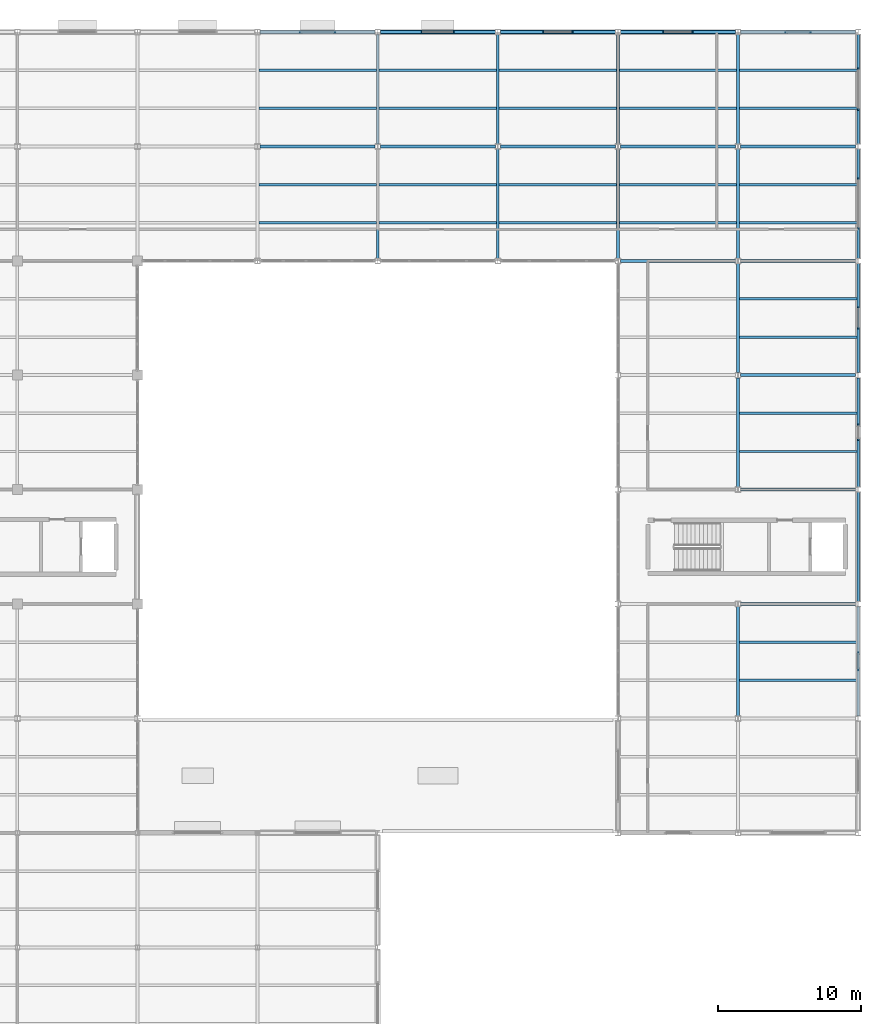
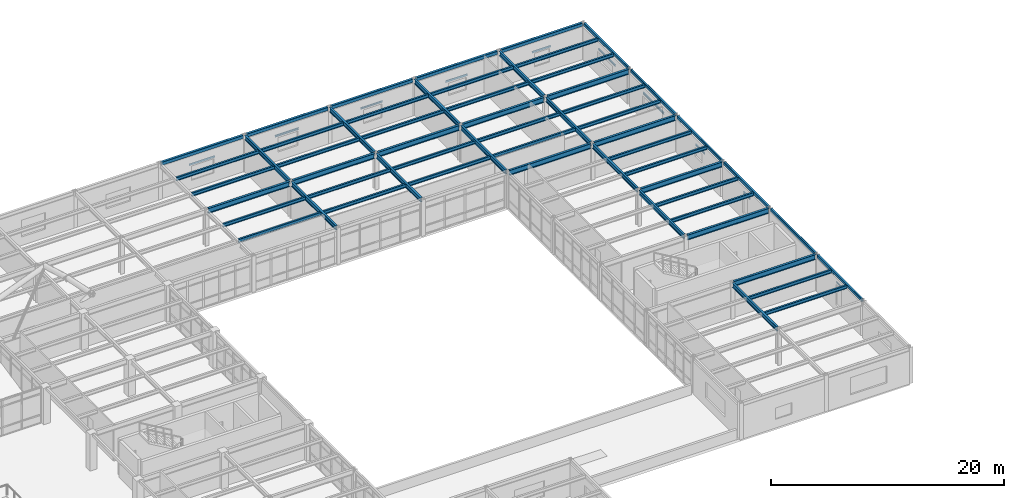
# One storey, part 55 of 138: 68 beams.
"""IFC4 building model written with IfcOpenShell, lengths in metres."""

import ifcopenshell
import ifcopenshell.guid

model = None  # the IFC model being written
_history = None  # IfcOwnerHistory: only IFC2X3 demands one
_inside = {}  # id of a spatial element -> (the spatial element, [elements in it])
_under = {}  # id of a project, library or spatial element -> (it, [spatial elements below it])
_declared = {}  # id of a project -> (the project, [libraries it declares])
_typed = {}  # id of a type object -> (the type object, [elements of that type])
_made_of = {}  # id of a material, layer set ... -> (it, [elements and type objects made of it])


def new_model(schema):
    """Start an empty IFC model of exactly this schema.

    Asked for "IFC4X3", IfcOpenShell would pick the latest addendum, in which some entities
    have other attributes; the version numbers below select the first issue.
    IFC2X3 requires an IfcOwnerHistory on every rooted entity: one is made here for all.
    """
    global model, _history
    if schema == "IFC4X3":
        model = ifcopenshell.file(schema_version=(4, 3, 0, 0))
    else:
        model = ifcopenshell.file(schema=schema)
    _inside.clear()
    _under.clear()
    _declared.clear()
    _typed.clear()
    _made_of.clear()
    _history = None
    if model.schema == "IFC2X3":
        org = make("IfcOrganization", Name="unknown")
        user = make(
            "IfcPersonAndOrganization",
            ThePerson=make("IfcPerson", FamilyName="unknown"),
            TheOrganization=org,
        )
        app = make(
            "IfcApplication",
            ApplicationDeveloper=org,
            Version="unknown",
            ApplicationFullName="unknown",
            ApplicationIdentifier="unknown",
        )
        _history = make(
            "IfcOwnerHistory",
            OwningUser=user,
            OwningApplication=app,
            ChangeAction="ADDED",
            CreationDate=0,
        )
    return model


def make(cls, **values):
    """One entity of the class cls with the attributes given. An attribute that is None is left unset."""
    return model.create_entity(
        cls, **{name: value for name, value in values.items() if value is not None}
    )


def rooted(cls, **values):
    """An entity with a GlobalId (a new one), such as an element, a storey or a relation."""
    return make(cls, GlobalId=ifcopenshell.guid.new(), OwnerHistory=_history, **values)


def si_unit(unit_type, name, prefix=None):
    """IfcSIUnit, for example si_unit("LENGTHUNIT", "METRE", prefix="MILLI")."""
    return make("IfcSIUnit", UnitType=unit_type, Prefix=prefix, Name=name)


def assignment(units):
    """IfcUnitAssignment: the units of a project."""
    return None if units is None else make("IfcUnitAssignment", Units=units)


def point(xyz):
    """IfcCartesianPoint."""
    return None if xyz is None else make("IfcCartesianPoint", Coordinates=xyz)


def direction(xyz):
    """IfcDirection."""
    return None if xyz is None else make("IfcDirection", DirectionRatios=xyz)


def frame(location, z_axis=None, x_axis=None):
    """IfcAxis2Placement3D, a coordinate frame: its origin and axes. An axis left out is left unset."""
    return make(
        "IfcAxis2Placement3D",
        Location=point(location),
        Axis=direction(z_axis),
        RefDirection=direction(x_axis),
    )


def frame_2d(location, x_axis=None):
    """IfcAxis2Placement2D, a coordinate frame in the plane: its origin and x axis."""
    return make(
        "IfcAxis2Placement2D", Location=point(location), RefDirection=direction(x_axis)
    )


def origin():
    """The frame at (0, 0, 0) with its axes left unset."""
    return frame((0.0, 0.0, 0.0))


def origin_2d():
    """The frame at (0, 0) in the plane with its x axis left unset."""
    return frame_2d((0.0, 0.0))


def place(relative_to, where):
    """IfcLocalPlacement: puts the frame where relative to a parent placement (None: the world)."""
    return make(
        "IfcLocalPlacement", PlacementRelTo=relative_to, RelativePlacement=where
    )


def context(
    kind, dimensions, precision=None, world=None, true_north=None, identifier=None
):
    """IfcGeometricRepresentationContext, for example the 3D "Model" context."""
    return make(
        "IfcGeometricRepresentationContext",
        ContextIdentifier=identifier,
        ContextType=kind,
        CoordinateSpaceDimension=dimensions,
        Precision=precision,
        WorldCoordinateSystem=world,
        TrueNorth=true_north,
    )


def subcontext(parent, identifier, kind, view, scale=None):
    """IfcGeometricRepresentationSubContext, for example "Body" below "Model"."""
    return make(
        "IfcGeometricRepresentationSubContext",
        ContextIdentifier=identifier,
        ContextType=kind,
        ParentContext=parent,
        TargetScale=scale,
        TargetView=view,
    )


def project(units=None, contexts=None):
    """IfcProject with its units and contexts."""
    return rooted(
        "IfcProject",
        Name="project",
        RepresentationContexts=contexts,
        UnitsInContext=assignment(units),
    )


def spatial(cls, under=None, at=None, **own):
    """A site, building, storey or space (cls), placed at a placement, below another one or the project."""
    s = rooted(cls, ObjectPlacement=at, **own)
    if under is not None:
        _under.setdefault(under.id(), (under, []))[1].append(s)
    return s


def profile(cls, at=None, kind="AREA", **sizes):
    """A parametric profile (cls). Its sizes go by their IFC names, for example OverallWidth=200.0."""
    return make(cls, ProfileType=kind, Position=at, **sizes)


def hollow_rectangle(**sizes):
    """IfcRectangleHollowProfileDef."""
    return profile("IfcRectangleHollowProfileDef", **sizes)


def i_section(**sizes):
    """IfcIShapeProfileDef."""
    return profile("IfcIShapeProfileDef", **sizes)


def u_section(**sizes):
    """IfcUShapeProfileDef."""
    return profile("IfcUShapeProfileDef", **sizes)


def extrude(swept, where, along, depth):
    """IfcExtrudedAreaSolid: the profile swept, set in the frame where, extruded along a direction by depth."""
    return make(
        "IfcExtrudedAreaSolid",
        SweptArea=swept,
        Position=where,
        ExtrudedDirection=direction(along),
        Depth=depth,
    )


def shape(context_of_items, identifier, shape_type, items):
    """IfcShapeRepresentation: the items that make up one representation, for example the "Body"."""
    return make(
        "IfcShapeRepresentation",
        ContextOfItems=context_of_items,
        RepresentationIdentifier=identifier,
        RepresentationType=shape_type,
        Items=items,
    )


def material(Name=None, Category=None):
    """IfcMaterial."""
    return make("IfcMaterial", Name=Name, Category=Category)


def material_profile(
    of_material, cross_section, Name=None, Category=None, Priority=None
):
    """IfcMaterialProfile: a cross section and its material."""
    return make(
        "IfcMaterialProfile",
        Name=Name,
        Material=of_material,
        Profile=cross_section,
        Priority=Priority,
        Category=Category,
    )


def profile_set(profiles, Name=None, composite=None):
    """IfcMaterialProfileSet."""
    return make(
        "IfcMaterialProfileSet",
        Name=Name,
        MaterialProfiles=profiles,
        CompositeProfile=composite,
    )


def made_of(thing, what):
    """Note that an element or type object is made of a material, layer set ...; save() writes the relation."""
    if what is not None:
        _made_of.setdefault(what.id(), (what, []))[1].append(thing)
    return thing


def type_object(cls, material=None, **own):
    """A type object (cls), such as IfcWallType, which elements share."""
    return made_of(rooted(cls, **own), material)


def element(
    cls,
    number,
    at=None,
    inside=None,
    cuts=None,
    type_object=None,
    material=None,
    context=None,
    identifier="Body",
    shape_type=None,
    held_by="IfcProductDefinitionShape",
    body=None,
    shapes=None,
    **own,
):
    """One element of the class cls, such as IfcWall. Its Tag is "e" and its number.

    at: its placement. inside: the storey or other place that contains it. cuts: it is an
    opening in that element (IfcRelVoidsElement). A single representation is given by context,
    identifier, shape_type and body (its items); several are given by shapes. held_by: the class
    of the entity that holds the representations. save() writes the other relations.
    """
    e = rooted(cls, Tag="e%d" % number, ObjectPlacement=at, **own)
    if body is not None:
        shapes = [shape(context, identifier, shape_type, body)]
    if shapes is not None:
        e.Representation = make(held_by, Representations=shapes)
    if inside is not None:
        _inside.setdefault(inside.id(), (inside, []))[1].append(e)
    if cuts is not None:
        rooted(
            "IfcRelVoidsElement", RelatingBuildingElement=cuts, RelatedOpeningElement=e
        )
    if type_object is not None:
        _typed.setdefault(type_object.id(), (type_object, []))[1].append(e)
    return made_of(e, material)


def aggregate(whole, parts):
    """IfcRelAggregates: a whole, such as a stair, and the parts it consists of."""
    return rooted("IfcRelAggregates", RelatingObject=whole, RelatedObjects=parts)


def save(model, path):
    """Write the relations noted so far, then the file.

    IfcRelAggregates (storeys below a building ...), IfcRelContainedInSpatialStructure (elements
    in a storey), IfcRelDefinesByType, IfcRelAssociatesMaterial and IfcRelDeclares: one each for
    every whole, place, type object, material and project.
    """
    for whole, parts in _under.values():
        aggregate(whole, parts)
    for where, things in _inside.values():
        rooted(
            "IfcRelContainedInSpatialStructure",
            RelatedElements=things,
            RelatingStructure=where,
        )
    for kind, things in _typed.values():
        rooted("IfcRelDefinesByType", RelatedObjects=things, RelatingType=kind)
    for what, things in _made_of.values():
        rooted("IfcRelAssociatesMaterial", RelatedObjects=things, RelatingMaterial=what)
    for by, libraries in _declared.values():
        rooted("IfcRelDeclares", RelatingContext=by, RelatedDefinitions=libraries)
    model.write(path)


model = new_model("IFC4")

# Units and contexts
model_context = context("Model", 3, precision=1e-05, world=origin(), true_north=direction((0.0, 1.0)))
body_context = subcontext(model_context, "Body", "Model", "MODEL_VIEW")
ifc_project = project(units=[si_unit("LENGTHUNIT", "METRE"), si_unit("AREAUNIT", "SQUARE_METRE"), si_unit("VOLUMEUNIT", "CUBIC_METRE"), si_unit("PLANEANGLEUNIT", "RADIAN"), si_unit("MASSUNIT", "GRAM", prefix="KILO")], contexts=[model_context])

# Site, building, storey
site_placement = place(None, origin())
site = spatial("IfcSite", under=ifc_project, at=site_placement, CompositionType="ELEMENT")
building_placement = place(site_placement, origin())
building = spatial("IfcBuilding", under=site, at=building_placement, Name="Kranzveld Transit Interchange", CompositionType="ELEMENT")
storey_placement = place(building_placement, frame((0.0, 0.0, 5.43994140625)))
storey = spatial("IfcBuildingStorey", under=building, at=storey_placement, Name="L01", CompositionType="ELEMENT", Elevation=5.43994140625)

# Beams
ifc_material_1 = material(Name="Steel S355JR", Category="steel")
ifc_material_profile_1 = material_profile(ifc_material_1, i_section(OverallWidth=0.19189453125, OverallDepth=0.46337890625, WebThickness=0.010498046875, FlangeThickness=0.017578125, FilletRadius=0.01025390625, at=origin_2d()), Name="UB 457x191x89")
ifc_profile_set_1 = profile_set([ifc_material_profile_1], Name="Steel S355JR")
beam_type_1 = type_object("IfcBeamType", Name="Beam Steel UB 457x191x89 S355JR", PredefinedType="BEAM", material=ifc_profile_set_1)
for number, where, z_axis, x_axis, name in (
    (1, (134.39990234375, 96.17724609375, 3.568359375), (0.0, 1.0, 0.0), (-1.0, 0.0, 0.0), "L01 Girder 17/N-P"),
    (2, (134.39990234375, 104.17724609375, 3.568359375), (0.0, 1.0, 0.0), (-1.0, 0.0, 0.0), "L01 Girder 17/P-Q"),
    (3, (142.800048828125, 96.17724609375, 3.568359375), (0.0, 1.0, 0.0), (-1.0, 0.0, 0.0), "L01 Girder 18/N-P"),
    (4, (142.800048828125, 104.17724609375, 3.568359375), (0.0, 1.0, 0.0), (-1.0, 0.0, 0.0), "L01 Girder 18/P-Q"),
    (5, (151.199951171875, 96.17724609375, 3.568359375), (0.0, 1.0, 0.0), (-1.0, 0.0, 0.0), "L01 Girder 19/N-P"),
    (6, (151.199951171875, 104.17724609375, 3.568359375), (0.0, 1.0, 0.0), (-1.0, 0.0, 0.0), "L01 Girder 19/P-Q"),
    (7, (159.60009765625, 64.17724609375, 3.568359375), (0.0, 1.0, 0.0), (-1.0, 0.0, 0.0), "L01 Girder 20/J-K"),
    (8, (159.60009765625, 80.17724609375, 3.568359375), (0.0, 1.0, 0.0), (-1.0, 0.0, 0.0), "L01 Girder 20/L-M"),
    (9, (159.60009765625, 88.17724609375, 3.568359375), (0.0, 1.0, 0.0), (-1.0, 0.0, 0.0), "L01 Girder 20/M-N"),
    (10, (159.60009765625, 96.17724609375, 3.568359375), (0.0, 1.0, 0.0), (-1.0, 0.0, 0.0), "L01 Girder 20/N-P"),
    (11, (159.60009765625, 104.17724609375, 3.568359375), (0.0, 1.0, 0.0), (-1.0, 0.0, 0.0), "L01 Girder 20/P-Q"),
):
    element("IfcBeam", number, at=place(storey_placement, frame(where, z_axis=z_axis, x_axis=x_axis)), inside=storey, type_object=beam_type_1, Name=name, PredefinedType="BEAM", context=body_context, shape_type="SweptSolid", body=[
        extrude(i_section(OverallWidth=0.19189453125, OverallDepth=0.46337890625, WebThickness=0.010498046875, FlangeThickness=0.017578125, FilletRadius=0.01025390625, at=origin_2d()), origin(), (0.0, 0.0, 1.0), 7.6455078125),
    ])
ifc_material_2 = material(Name="Steel S355JR", Category="steel")
ifc_material_profile_2 = material_profile(ifc_material_2, hollow_rectangle(XDim=0.199951171875, YDim=0.300048828125, WallThickness=0.010009765625, InnerFilletRadius=0.014892578125, OuterFilletRadius=0.02490234375, at=origin_2d()), Name="RHS 300x200x10")
ifc_profile_set_2 = profile_set([ifc_material_profile_2], Name="Steel S355JR")
beam_type_2 = type_object("IfcBeamType", Name="Edge Spandrel RHS 300x200x10 S355JR", PredefinedType="SPANDREL", material=ifc_profile_set_2)
for number, where, z_axis, x_axis, name in (
    (12, (168.0, 64.17724609375, 3.650146484375), (0.0, 1.0, 0.0), (-1.0, 0.0, 0.0), "L01 Girder 21/J-K"),
    (13, (168.0, 72.17724609375, 3.650146484375), (0.0, 1.0, 0.0), (-1.0, 0.0, 0.0), "L01 Girder 21/K-L"),
    (14, (168.0, 80.17724609375, 3.650146484375), (0.0, 1.0, 0.0), (-1.0, 0.0, 0.0), "L01 Girder 21/L-M"),
    (15, (168.0, 88.17724609375, 3.650146484375), (0.0, 1.0, 0.0), (-1.0, 0.0, 0.0), "L01 Girder 21/M-N"),
    (16, (168.0, 96.17724609375, 3.650146484375), (0.0, 1.0, 0.0), (-1.0, 0.0, 0.0), "L01 Girder 21/N-P"),
    (17, (168.0, 104.17724609375, 3.650146484375), (0.0, 1.0, 0.0), (-1.0, 0.0, 0.0), "L01 Girder 21/P-Q"),
):
    element("IfcBeam", number, at=place(storey_placement, frame(where, z_axis=z_axis, x_axis=x_axis)), inside=storey, type_object=beam_type_2, Name=name, PredefinedType="SPANDREL", context=body_context, shape_type="SweptSolid", body=[
        extrude(hollow_rectangle(XDim=0.199951171875, YDim=0.300048828125, WallThickness=0.010009765625, InnerFilletRadius=0.014892578125, OuterFilletRadius=0.02490234375, at=origin_2d()), origin(), (0.0, 0.0, 1.0), 7.6455078125),
    ])
ifc_material_3 = material(Name="Steel S355JR", Category="steel")
ifc_material_profile_3 = material_profile(ifc_material_3, hollow_rectangle(XDim=0.25, YDim=0.35009765625, WallThickness=0.012451171875, InnerFilletRadius=0.018798828125, OuterFilletRadius=0.03125, at=origin_2d()), Name="RHS 350x250x12.5")
ifc_profile_set_3 = profile_set([ifc_material_profile_3], Name="Steel S355JR")
beam_type_3 = type_object("IfcBeamType", Name="Edge Spandrel RHS 350x250x12.5 S355JR", PredefinedType="SPANDREL", material=ifc_profile_set_3)
for number, where, z_axis, x_axis, name in (
    (18, (126.17724609375, 112.0, 3.625), (1.0, 0.0, 0.0), (0.0, 1.0, 0.0), "L01 Girder 16-17/Q"),
    (19, (134.577392578125, 112.0, 3.625), (1.0, 0.0, 0.0), (0.0, 1.0, 0.0), "L01 Girder 17-18/Q"),
    (20, (142.977294921875, 112.0, 3.625), (1.0, 0.0, 0.0), (0.0, 1.0, 0.0), "L01 Girder 18-19/Q"),
    (21, (151.377197265625, 112.0, 3.625), (1.0, 0.0, 0.0), (0.0, 1.0, 0.0), "L01 Girder 19-20/Q"),
    (22, (159.77734375, 112.0, 3.625), (1.0, 0.0, 0.0), (0.0, 1.0, 0.0), "L01 Girder 20-21/Q"),
):
    element("IfcBeam", number, at=place(storey_placement, frame(where, z_axis=z_axis, x_axis=x_axis)), inside=storey, type_object=beam_type_3, Name=name, PredefinedType="SPANDREL", context=body_context, shape_type="SweptSolid", body=[
        extrude(hollow_rectangle(XDim=0.25, YDim=0.35009765625, WallThickness=0.012451171875, InnerFilletRadius=0.018798828125, OuterFilletRadius=0.03125, at=origin_2d()), origin(), (0.0, 0.0, 1.0), 8.04541015625),
    ])
ifc_material_4 = material(Name="Steel S355JR", Category="steel")
ifc_material_profile_4 = material_profile(ifc_material_4, i_section(OverallWidth=0.172119140625, OverallDepth=0.35791015625, WebThickness=0.008056640625, FlangeThickness=0.012939453125, FilletRadius=0.01025390625, at=origin_2d()), Name="UB 356x171x57")
ifc_profile_set_4 = profile_set([ifc_material_profile_4], Name="Steel S355JR")
beam_type_4 = type_object("IfcBeamType", Name="Floor Joist UB 356x171x57 S355JR", PredefinedType="JOIST", material=ifc_profile_set_4)
for number, where, z_axis, x_axis, name in (
    (23, (126.097900390625, 98.666748046875, 3.62109375), (1.0, 0.0, 0.0), (0.0, 1.0, 0.0), "L01 Secondary Joist 16-17/N.1"),
    (24, (126.097900390625, 101.333251953125, 3.62109375), (1.0, 0.0, 0.0), (0.0, 1.0, 0.0), "L01 Secondary Joist 16-17/N.2"),
    (25, (126.097900390625, 106.666748046875, 3.62109375), (1.0, 0.0, 0.0), (0.0, 1.0, 0.0), "L01 Secondary Joist 16-17/P.1"),
    (26, (126.097900390625, 109.333251953125, 3.62109375), (1.0, 0.0, 0.0), (0.0, 1.0, 0.0), "L01 Secondary Joist 16-17/P.2"),
    (27, (134.498046875, 98.666748046875, 3.62109375), (1.0, 0.0, 0.0), (0.0, 1.0, 0.0), "L01 Secondary Joist 17-18/N.1"),
    (28, (134.498046875, 101.333251953125, 3.62109375), (1.0, 0.0, 0.0), (0.0, 1.0, 0.0), "L01 Secondary Joist 17-18/N.2"),
    (29, (134.498046875, 106.666748046875, 3.62109375), (1.0, 0.0, 0.0), (0.0, 1.0, 0.0), "L01 Secondary Joist 17-18/P.1"),
    (30, (134.498046875, 109.333251953125, 3.62109375), (1.0, 0.0, 0.0), (0.0, 1.0, 0.0), "L01 Secondary Joist 17-18/P.2"),
    (31, (142.89794921875, 98.666748046875, 3.62109375), (1.0, 0.0, 0.0), (0.0, 1.0, 0.0), "L01 Secondary Joist 18-19/N.1"),
    (32, (142.89794921875, 101.333251953125, 3.62109375), (1.0, 0.0, 0.0), (0.0, 1.0, 0.0), "L01 Secondary Joist 18-19/N.2"),
    (33, (142.89794921875, 106.666748046875, 3.62109375), (1.0, 0.0, 0.0), (0.0, 1.0, 0.0), "L01 Secondary Joist 18-19/P.1"),
    (34, (142.89794921875, 109.333251953125, 3.62109375), (1.0, 0.0, 0.0), (0.0, 1.0, 0.0), "L01 Secondary Joist 18-19/P.2"),
    (35, (151.2978515625, 98.666748046875, 3.62109375), (1.0, 0.0, 0.0), (0.0, 1.0, 0.0), "L01 Secondary Joist 19-20/N.1"),
    (36, (151.2978515625, 101.333251953125, 3.62109375), (1.0, 0.0, 0.0), (0.0, 1.0, 0.0), "L01 Secondary Joist 19-20/N.2"),
    (37, (151.2978515625, 106.666748046875, 3.62109375), (1.0, 0.0, 0.0), (0.0, 1.0, 0.0), "L01 Secondary Joist 19-20/P.1"),
    (38, (151.2978515625, 109.333251953125, 3.62109375), (1.0, 0.0, 0.0), (0.0, 1.0, 0.0), "L01 Secondary Joist 19-20/P.2"),
):
    element("IfcBeam", number, at=place(storey_placement, frame(where, z_axis=z_axis, x_axis=x_axis)), inside=storey, type_object=beam_type_4, Name=name, PredefinedType="JOIST", context=body_context, shape_type="SweptSolid", body=[
        extrude(i_section(OverallWidth=0.172119140625, OverallDepth=0.35791015625, WebThickness=0.008056640625, FlangeThickness=0.012939453125, FilletRadius=0.01025390625, at=origin_2d()), origin(), (0.0, 0.0, 1.0), 8.2041015625),
    ])
for number, where, z_axis, x_axis, name in (
    (39, (159.697998046875, 66.666748046875, 3.62109375), (1.0, 0.0, 0.0), (0.0, 1.0, 0.0), "L01 Secondary Joist 20-21/J.1"),
    (40, (159.697998046875, 69.333251953125, 3.62109375), (1.0, 0.0, 0.0), (0.0, 1.0, 0.0), "L01 Secondary Joist 20-21/J.2"),
    (41, (159.697998046875, 82.666748046875, 3.62109375), (1.0, 0.0, 0.0), (0.0, 1.0, 0.0), "L01 Secondary Joist 20-21/L.1"),
    (42, (159.697998046875, 85.333251953125, 3.62109375), (1.0, 0.0, 0.0), (0.0, 1.0, 0.0), "L01 Secondary Joist 20-21/L.2"),
    (43, (159.697998046875, 90.666748046875, 3.62109375), (1.0, 0.0, 0.0), (0.0, 1.0, 0.0), "L01 Secondary Joist 20-21/M.1"),
    (44, (159.697998046875, 93.333251953125, 3.62109375), (1.0, 0.0, 0.0), (0.0, 1.0, 0.0), "L01 Secondary Joist 20-21/M.2"),
    (45, (159.697998046875, 98.666748046875, 3.62109375), (1.0, 0.0, 0.0), (0.0, 1.0, 0.0), "L01 Secondary Joist 20-21/N.1"),
    (46, (159.697998046875, 101.333251953125, 3.62109375), (1.0, 0.0, 0.0), (0.0, 1.0, 0.0), "L01 Secondary Joist 20-21/N.2"),
    (47, (159.697998046875, 106.666748046875, 3.62109375), (1.0, 0.0, 0.0), (0.0, 1.0, 0.0), "L01 Secondary Joist 20-21/P.1"),
    (48, (159.697998046875, 109.333251953125, 3.62109375), (1.0, 0.0, 0.0), (0.0, 1.0, 0.0), "L01 Secondary Joist 20-21/P.2"),
):
    element("IfcBeam", number, at=place(storey_placement, frame(where, z_axis=z_axis, x_axis=x_axis)), inside=storey, type_object=beam_type_4, Name=name, PredefinedType="JOIST", context=body_context, shape_type="SweptSolid", body=[
        extrude(i_section(OverallWidth=0.172119140625, OverallDepth=0.35791015625, WebThickness=0.008056640625, FlangeThickness=0.012939453125, FilletRadius=0.01025390625, at=origin_2d()), origin(), (0.0, 0.0, 1.0), 8.199951171875),
    ])
ifc_material_5 = material(Name="Steel S355JR", Category="steel")
ifc_material_profile_5 = material_profile(ifc_material_5, i_section(OverallWidth=0.210693359375, OverallDepth=0.53955078125, WebThickness=0.01171875, FlangeThickness=0.018798828125, FilletRadius=0.0126953125, at=origin_2d()), Name="UB 533x210x109")
ifc_profile_set_5 = profile_set([ifc_material_profile_5], Name="Steel S355JR")
beam_type_5 = type_object("IfcBeamType", Name="Girder Steel UB 533x210x109 S355JR", PredefinedType="BEAM", material=ifc_profile_set_5)
for number, where, z_axis, x_axis, name in (
    (49, (159.77734375, 72.0, 3.5302734375), (1.0, 0.0, 0.0), (0.0, 1.0, 0.0), "L01 Girder 20-21/K"),
    (50, (159.77734375, 80.0, 3.5302734375), (1.0, 0.0, 0.0), (0.0, 1.0, 0.0), "L01 Girder 20-21/L"),
    (51, (159.77734375, 88.0, 3.5302734375), (1.0, 0.0, 0.0), (0.0, 1.0, 0.0), "L01 Girder 20-21/M"),
    (52, (151.377197265625, 96.0, 3.5302734375), (1.0, 0.0, 0.0), (0.0, 1.0, 0.0), "L01 Girder 19-20/N"),
    (53, (159.77734375, 96.0, 3.5302734375), (1.0, 0.0, 0.0), (0.0, 1.0, 0.0), "L01 Girder 20-21/N"),
    (54, (126.17724609375, 104.0, 3.5302734375), (1.0, 0.0, 0.0), (0.0, 1.0, 0.0), "L01 Girder 16-17/P"),
    (55, (134.577392578125, 104.0, 3.5302734375), (1.0, 0.0, 0.0), (0.0, 1.0, 0.0), "L01 Girder 17-18/P"),
    (56, (142.977294921875, 104.0, 3.5302734375), (1.0, 0.0, 0.0), (0.0, 1.0, 0.0), "L01 Girder 18-19/P"),
    (57, (151.377197265625, 104.0, 3.5302734375), (1.0, 0.0, 0.0), (0.0, 1.0, 0.0), "L01 Girder 19-20/P"),
    (58, (159.77734375, 104.0, 3.5302734375), (1.0, 0.0, 0.0), (0.0, 1.0, 0.0), "L01 Girder 20-21/P"),
):
    element("IfcBeam", number, at=place(storey_placement, frame(where, z_axis=z_axis, x_axis=x_axis)), inside=storey, type_object=beam_type_5, Name=name, PredefinedType="BEAM", context=body_context, shape_type="SweptSolid", body=[
        extrude(i_section(OverallWidth=0.210693359375, OverallDepth=0.53955078125, WebThickness=0.01171875, FlangeThickness=0.018798828125, FilletRadius=0.0126953125, at=origin_2d()), origin(), (0.0, 0.0, 1.0), 8.04541015625),
    ])
ifc_material_6 = material(Name="Steel S355JR", Category="steel")
ifc_material_profile_6 = material_profile(ifc_material_6, u_section(Depth=0.179931640625, FlangeWidth=0.070068359375, WebThickness=0.007080078125, FlangeThickness=0.010986328125, FilletRadius=0.010009765625, at=origin_2d()), Name="PFC 180x70x22")
ifc_profile_set_6 = profile_set([ifc_material_profile_6], Name="Steel S355JR")
beam_type_6 = type_object("IfcBeamType", Name="Masonry Lintel PFC 180x70x22 S355JR", PredefinedType="LINTEL", material=ifc_profile_set_6)
beam_1_placement = place(storey_placement, frame((128.919921875, 112.0, 2.4951171875), z_axis=(1.0, 0.0, 0.0), x_axis=(0.0, 1.0, 0.0)))
element("IfcBeam", 59, at=beam_1_placement, inside=storey, type_object=beam_type_6, Name="L01 Window Lintel 089", PredefinedType="LINTEL", context=body_context, shape_type="SweptSolid", body=[
    extrude(u_section(Depth=0.179931640625, FlangeWidth=0.070068359375, WebThickness=0.007080078125, FlangeThickness=0.010986328125, FilletRadius=0.010009765625, at=origin_2d()), origin(), (0.0, 0.0, 1.0), 2.56005859375),
])
beam_2_placement = place(storey_placement, frame((162.8701171875, 112.0, 2.39501953125), z_axis=(1.0, 0.0, 0.0), x_axis=(0.0, 1.0, 0.0)))
element("IfcBeam", 60, at=beam_2_placement, inside=storey, type_object=beam_type_6, Name="L01 Window Lintel 093", PredefinedType="LINTEL", context=body_context, shape_type="SweptSolid", body=[
    extrude(u_section(Depth=0.179931640625, FlangeWidth=0.070068359375, WebThickness=0.007080078125, FlangeThickness=0.010986328125, FilletRadius=0.010009765625, at=origin_2d()), origin(), (0.0, 0.0, 1.0), 1.85986328125),
])
beam_3_placement = place(storey_placement, frame((168.0, 67.344970703125, 2.844970703125), z_axis=(0.0, 1.0, 0.0), x_axis=(-1.0, 0.0, 0.0)))
element("IfcBeam", 61, at=beam_3_placement, inside=storey, type_object=beam_type_6, Name="L01 Window Lintel 097", PredefinedType="LINTEL", context=body_context, shape_type="SweptSolid", body=[
    extrude(u_section(Depth=0.179931640625, FlangeWidth=0.070068359375, WebThickness=0.007080078125, FlangeThickness=0.010986328125, FilletRadius=0.010009765625, at=origin_2d()), origin(), (0.0, 0.0, 1.0), 1.31005859375),
])
ifc_material_7 = material(Name="Steel S355JR", Category="steel")
ifc_material_profile_7 = material_profile(ifc_material_7, u_section(Depth=0.199951171875, FlangeWidth=0.074951171875, WebThickness=0.006103515625, FlangeThickness=0.012451171875, FilletRadius=0.011962890625, at=origin_2d()), Name="PFC 200x75x23")
ifc_profile_set_7 = profile_set([ifc_material_profile_7], Name="Steel S355JR")
beam_type_7 = type_object("IfcBeamType", Name="Masonry Lintel PFC 200x75x23 S355JR", PredefinedType="LINTEL", material=ifc_profile_set_7)
beam_4_placement = place(storey_placement, frame((154.320068359375, 112.0, 2.30517578125), z_axis=(1.0, 0.0, 0.0), x_axis=(0.0, 1.0, 0.0)))
element("IfcBeam", 62, at=beam_4_placement, inside=storey, type_object=beam_type_7, Name="L01 Window Lintel 092", PredefinedType="LINTEL", context=body_context, shape_type="SweptSolid", body=[
    extrude(u_section(Depth=0.199951171875, FlangeWidth=0.074951171875, WebThickness=0.006103515625, FlangeThickness=0.012451171875, FilletRadius=0.011962890625, at=origin_2d()), origin(), (0.0, 0.0, 1.0), 2.159912109375),
])
ifc_material_8 = material(Name="Steel S355JR", Category="steel")
ifc_material_profile_8 = material_profile(ifc_material_8, i_section(OverallWidth=0.091064453125, OverallDepth=0.179931640625, WebThickness=0.00537109375, FlangeThickness=0.008056640625, FilletRadius=0.009033203125, at=origin_2d()), Name="IPE 180")
ifc_profile_set_8 = profile_set([ifc_material_profile_8], Name="Steel S355JR")
beam_type_8 = type_object("IfcBeamType", Name="Opening Lintel IPE 180 S355JR", PredefinedType="LINTEL", material=ifc_profile_set_8)
beam_5_placement = place(storey_placement, frame((145.919921875, 112.0, 2.445068359375), z_axis=(1.0, 0.0, 0.0), x_axis=(0.0, 1.0, 0.0)))
element("IfcBeam", 63, at=beam_5_placement, inside=storey, type_object=beam_type_8, Name="L01 Window Lintel 091", PredefinedType="LINTEL", context=body_context, shape_type="SweptSolid", body=[
    extrude(i_section(OverallWidth=0.091064453125, OverallDepth=0.179931640625, WebThickness=0.00537109375, FlangeThickness=0.008056640625, FilletRadius=0.009033203125, at=origin_2d()), origin(), (0.0, 0.0, 1.0), 2.16015625),
])
beam_6_placement = place(storey_placement, frame((168.0, 106.52001953125, 2.4951171875), z_axis=(0.0, 1.0, 0.0), x_axis=(-1.0, 0.0, 0.0)))
element("IfcBeam", 64, at=beam_6_placement, inside=storey, type_object=beam_type_8, Name="L01 Window Lintel 095", PredefinedType="LINTEL", context=body_context, shape_type="SweptSolid", body=[
    extrude(i_section(OverallWidth=0.091064453125, OverallDepth=0.179931640625, WebThickness=0.00537109375, FlangeThickness=0.008056640625, FilletRadius=0.009033203125, at=origin_2d()), origin(), (0.0, 0.0, 1.0), 2.9599609375),
])
beam_7_placement = place(storey_placement, frame((168.0, 91.219970703125, 2.594970703125), z_axis=(0.0, 1.0, 0.0), x_axis=(-1.0, 0.0, 0.0)))
element("IfcBeam", 65, at=beam_7_placement, inside=storey, type_object=beam_type_8, Name="L01 Window Lintel 099", PredefinedType="LINTEL", context=body_context, shape_type="SweptSolid", body=[
    extrude(i_section(OverallWidth=0.091064453125, OverallDepth=0.179931640625, WebThickness=0.00537109375, FlangeThickness=0.008056640625, FilletRadius=0.009033203125, at=origin_2d()), origin(), (0.0, 0.0, 1.0), 1.56005859375),
])
ifc_material_9 = material(Name="Steel S355JR", Category="steel")
ifc_material_profile_9 = material_profile(ifc_material_9, i_section(OverallWidth=0.10009765625, OverallDepth=0.199951171875, WebThickness=0.005615234375, FlangeThickness=0.008544921875, FilletRadius=0.011962890625, at=origin_2d()), Name="IPE 200")
ifc_profile_set_9 = profile_set([ifc_material_profile_9], Name="Steel S355JR")
beam_type_9 = type_object("IfcBeamType", Name="Opening Lintel IPE 200 S355JR", PredefinedType="LINTEL", material=ifc_profile_set_9)
beam_8_placement = place(storey_placement, frame((137.419921875, 112.0, 2.505126953125), z_axis=(1.0, 0.0, 0.0), x_axis=(0.0, 1.0, 0.0)))
element("IfcBeam", 66, at=beam_8_placement, inside=storey, type_object=beam_type_9, Name="L01 Window Lintel 090", PredefinedType="LINTEL", context=body_context, shape_type="SweptSolid", body=[
    extrude(i_section(OverallWidth=0.10009765625, OverallDepth=0.199951171875, WebThickness=0.005615234375, FlangeThickness=0.008544921875, FilletRadius=0.011962890625, at=origin_2d()), origin(), (0.0, 0.0, 1.0), 2.360107421875),
])
beam_9_placement = place(storey_placement, frame((168.0, 98.219970703125, 2.55517578125), z_axis=(0.0, 1.0, 0.0), x_axis=(-1.0, 0.0, 0.0)))
element("IfcBeam", 67, at=beam_9_placement, inside=storey, type_object=beam_type_9, Name="L01 Window Lintel 094", PredefinedType="LINTEL", context=body_context, shape_type="SweptSolid", body=[
    extrude(i_section(OverallWidth=0.10009765625, OverallDepth=0.199951171875, WebThickness=0.005615234375, FlangeThickness=0.008544921875, FilletRadius=0.011962890625, at=origin_2d()), origin(), (0.0, 0.0, 1.0), 3.56005859375),
])
beam_10_placement = place(storey_placement, frame((168.0, 83.419921875, 2.60498046875), z_axis=(0.0, 1.0, 0.0), x_axis=(-1.0, 0.0, 0.0)))
element("IfcBeam", 68, at=beam_10_placement, inside=storey, type_object=beam_type_9, Name="L01 Window Lintel 098", PredefinedType="LINTEL", context=body_context, shape_type="SweptSolid", body=[
    extrude(i_section(OverallWidth=0.10009765625, OverallDepth=0.199951171875, WebThickness=0.005615234375, FlangeThickness=0.008544921875, FilletRadius=0.011962890625, at=origin_2d()), origin(), (0.0, 0.0, 1.0), 1.16015625),
])

save(model, "model.ifc")
